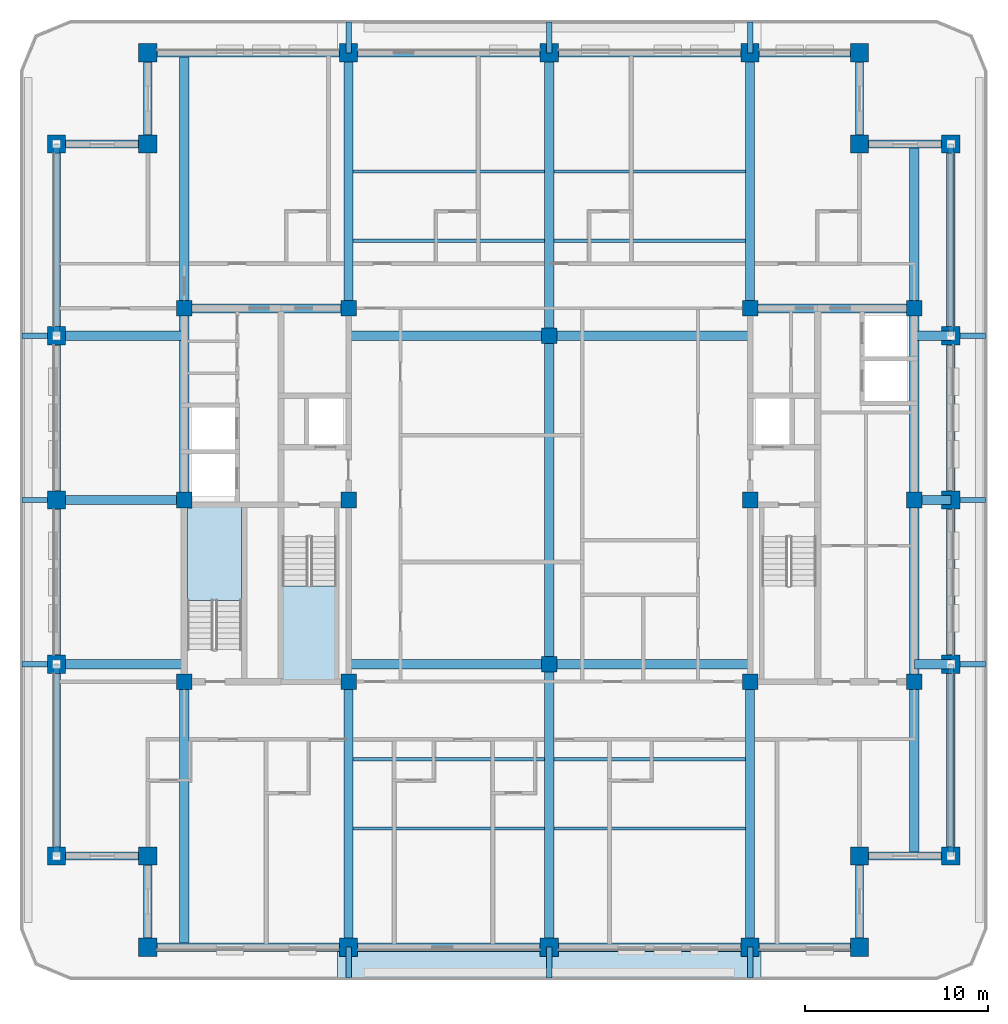
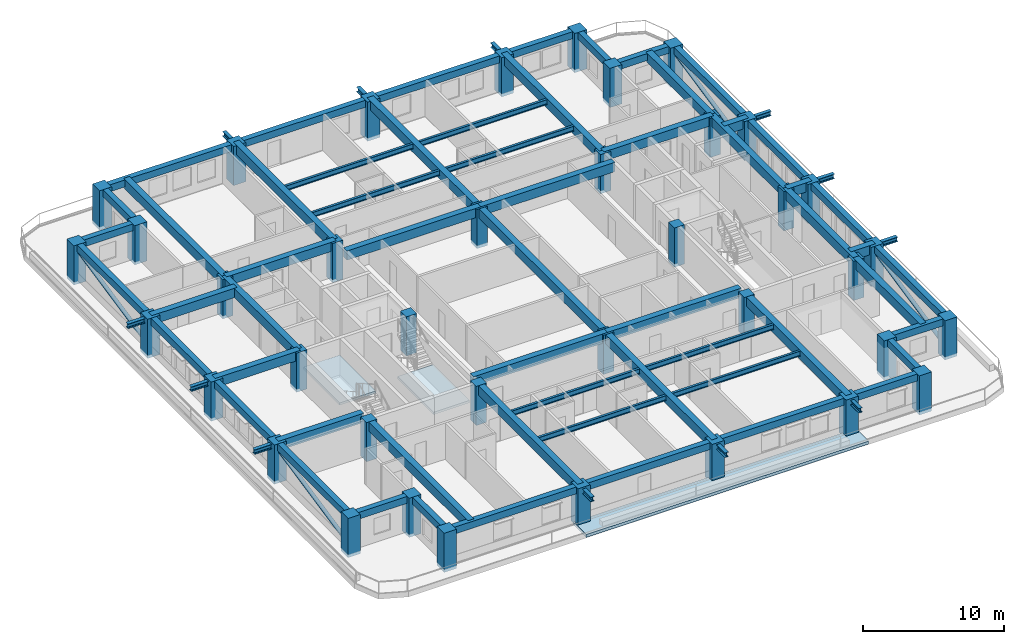
# One storey, part 1 of 15: 70 beams, 38 columns, 4 members, 3 slabs, 2 elements without a shape of their own.
"""IFC4 building model written with IfcOpenShell, lengths in metres."""

import ifcopenshell
import ifcopenshell.guid

model = None  # the IFC model being written
_history = None  # IfcOwnerHistory: only IFC2X3 demands one
_inside = {}  # id of a spatial element -> (the spatial element, [elements in it])
_under = {}  # id of a project, library or spatial element -> (it, [spatial elements below it])
_declared = {}  # id of a project -> (the project, [libraries it declares])
_typed = {}  # id of a type object -> (the type object, [elements of that type])
_made_of = {}  # id of a material, layer set ... -> (it, [elements and type objects made of it])


def new_model(schema):
    """Start an empty IFC model of exactly this schema.

    Asked for "IFC4X3", IfcOpenShell would pick the latest addendum, in which some entities
    have other attributes; the version numbers below select the first issue.
    IFC2X3 requires an IfcOwnerHistory on every rooted entity: one is made here for all.
    """
    global model, _history
    if schema == "IFC4X3":
        model = ifcopenshell.file(schema_version=(4, 3, 0, 0))
    else:
        model = ifcopenshell.file(schema=schema)
    _inside.clear()
    _under.clear()
    _declared.clear()
    _typed.clear()
    _made_of.clear()
    _history = None
    if model.schema == "IFC2X3":
        org = make("IfcOrganization", Name="unknown")
        user = make(
            "IfcPersonAndOrganization",
            ThePerson=make("IfcPerson", FamilyName="unknown"),
            TheOrganization=org,
        )
        app = make(
            "IfcApplication",
            ApplicationDeveloper=org,
            Version="unknown",
            ApplicationFullName="unknown",
            ApplicationIdentifier="unknown",
        )
        _history = make(
            "IfcOwnerHistory",
            OwningUser=user,
            OwningApplication=app,
            ChangeAction="ADDED",
            CreationDate=0,
        )
    return model


def make(cls, **values):
    """One entity of the class cls with the attributes given. An attribute that is None is left unset."""
    return model.create_entity(
        cls, **{name: value for name, value in values.items() if value is not None}
    )


def rooted(cls, **values):
    """An entity with a GlobalId (a new one), such as an element, a storey or a relation."""
    return make(cls, GlobalId=ifcopenshell.guid.new(), OwnerHistory=_history, **values)


def si_unit(unit_type, name, prefix=None):
    """IfcSIUnit, for example si_unit("LENGTHUNIT", "METRE", prefix="MILLI")."""
    return make("IfcSIUnit", UnitType=unit_type, Prefix=prefix, Name=name)


def assignment(units):
    """IfcUnitAssignment: the units of a project."""
    return None if units is None else make("IfcUnitAssignment", Units=units)


def point(xyz):
    """IfcCartesianPoint."""
    return None if xyz is None else make("IfcCartesianPoint", Coordinates=xyz)


def direction(xyz):
    """IfcDirection."""
    return None if xyz is None else make("IfcDirection", DirectionRatios=xyz)


def frame(location, z_axis=None, x_axis=None):
    """IfcAxis2Placement3D, a coordinate frame: its origin and axes. An axis left out is left unset."""
    return make(
        "IfcAxis2Placement3D",
        Location=point(location),
        Axis=direction(z_axis),
        RefDirection=direction(x_axis),
    )


def frame_2d(location, x_axis=None):
    """IfcAxis2Placement2D, a coordinate frame in the plane: its origin and x axis."""
    return make(
        "IfcAxis2Placement2D", Location=point(location), RefDirection=direction(x_axis)
    )


def origin():
    """The frame at (0, 0, 0) with its axes left unset."""
    return frame((0.0, 0.0, 0.0))


def origin_2d():
    """The frame at (0, 0) in the plane with its x axis left unset."""
    return frame_2d((0.0, 0.0))


def place(relative_to, where):
    """IfcLocalPlacement: puts the frame where relative to a parent placement (None: the world)."""
    return make(
        "IfcLocalPlacement", PlacementRelTo=relative_to, RelativePlacement=where
    )


def context(
    kind, dimensions, precision=None, world=None, true_north=None, identifier=None
):
    """IfcGeometricRepresentationContext, for example the 3D "Model" context."""
    return make(
        "IfcGeometricRepresentationContext",
        ContextIdentifier=identifier,
        ContextType=kind,
        CoordinateSpaceDimension=dimensions,
        Precision=precision,
        WorldCoordinateSystem=world,
        TrueNorth=true_north,
    )


def subcontext(parent, identifier, kind, view, scale=None):
    """IfcGeometricRepresentationSubContext, for example "Body" below "Model"."""
    return make(
        "IfcGeometricRepresentationSubContext",
        ContextIdentifier=identifier,
        ContextType=kind,
        ParentContext=parent,
        TargetScale=scale,
        TargetView=view,
    )


def project(units=None, contexts=None):
    """IfcProject with its units and contexts."""
    return rooted(
        "IfcProject",
        Name="project",
        RepresentationContexts=contexts,
        UnitsInContext=assignment(units),
    )


def spatial(cls, under=None, at=None, **own):
    """A site, building, storey or space (cls), placed at a placement, below another one or the project."""
    s = rooted(cls, ObjectPlacement=at, **own)
    if under is not None:
        _under.setdefault(under.id(), (under, []))[1].append(s)
    return s


def polyline(points):
    """IfcPolyline through the points."""
    return make("IfcPolyline", Points=[point(p) for p in points])


def profile(cls, at=None, kind="AREA", **sizes):
    """A parametric profile (cls). Its sizes go by their IFC names, for example OverallWidth=200.0."""
    return make(cls, ProfileType=kind, Position=at, **sizes)


def rectangle(**sizes):
    """IfcRectangleProfileDef."""
    return profile("IfcRectangleProfileDef", **sizes)


def hollow_circle(**sizes):
    """IfcCircleHollowProfileDef."""
    return profile("IfcCircleHollowProfileDef", **sizes)


def i_section(**sizes):
    """IfcIShapeProfileDef."""
    return profile("IfcIShapeProfileDef", **sizes)


def outline(outer, holes=None, kind="AREA"):
    """IfcArbitraryClosedProfileDef: a profile drawn as a closed curve; with holes, ...WithVoids."""
    if holes is None:
        return make("IfcArbitraryClosedProfileDef", ProfileType=kind, OuterCurve=outer)
    return make(
        "IfcArbitraryProfileDefWithVoids",
        ProfileType=kind,
        OuterCurve=outer,
        InnerCurves=holes,
    )


def extrude(swept, where, along, depth):
    """IfcExtrudedAreaSolid: the profile swept, set in the frame where, extruded along a direction by depth."""
    return make(
        "IfcExtrudedAreaSolid",
        SweptArea=swept,
        Position=where,
        ExtrudedDirection=direction(along),
        Depth=depth,
    )


def shape(context_of_items, identifier, shape_type, items):
    """IfcShapeRepresentation: the items that make up one representation, for example the "Body"."""
    return make(
        "IfcShapeRepresentation",
        ContextOfItems=context_of_items,
        RepresentationIdentifier=identifier,
        RepresentationType=shape_type,
        Items=items,
    )


def material(Name=None, Category=None):
    """IfcMaterial."""
    return make("IfcMaterial", Name=Name, Category=Category)


def layer(
    of_material, thickness, ventilated=None, Name=None, Category=None, Priority=None
):
    """IfcMaterialLayer: one layer of a wall or slab, of a material (None: an air gap)."""
    return make(
        "IfcMaterialLayer",
        Material=of_material,
        LayerThickness=thickness,
        IsVentilated=ventilated,
        Name=Name,
        Category=Category,
        Priority=Priority,
    )


def layer_set(layers, Name=None):
    """IfcMaterialLayerSet."""
    return make("IfcMaterialLayerSet", MaterialLayers=layers, LayerSetName=Name)


def material_profile(
    of_material, cross_section, Name=None, Category=None, Priority=None
):
    """IfcMaterialProfile: a cross section and its material."""
    return make(
        "IfcMaterialProfile",
        Name=Name,
        Material=of_material,
        Profile=cross_section,
        Priority=Priority,
        Category=Category,
    )


def profile_set(profiles, Name=None, composite=None):
    """IfcMaterialProfileSet."""
    return make(
        "IfcMaterialProfileSet",
        Name=Name,
        MaterialProfiles=profiles,
        CompositeProfile=composite,
    )


def made_of(thing, what):
    """Note that an element or type object is made of a material, layer set ...; save() writes the relation."""
    if what is not None:
        _made_of.setdefault(what.id(), (what, []))[1].append(thing)
    return thing


def type_object(cls, material=None, **own):
    """A type object (cls), such as IfcWallType, which elements share."""
    return made_of(rooted(cls, **own), material)


def element(
    cls,
    number,
    at=None,
    inside=None,
    cuts=None,
    type_object=None,
    material=None,
    context=None,
    identifier="Body",
    shape_type=None,
    held_by="IfcProductDefinitionShape",
    body=None,
    shapes=None,
    **own,
):
    """One element of the class cls, such as IfcWall. Its Tag is "e" and its number.

    at: its placement. inside: the storey or other place that contains it. cuts: it is an
    opening in that element (IfcRelVoidsElement). A single representation is given by context,
    identifier, shape_type and body (its items); several are given by shapes. held_by: the class
    of the entity that holds the representations. save() writes the other relations.
    """
    e = rooted(cls, Tag="e%d" % number, ObjectPlacement=at, **own)
    if body is not None:
        shapes = [shape(context, identifier, shape_type, body)]
    if shapes is not None:
        e.Representation = make(held_by, Representations=shapes)
    if inside is not None:
        _inside.setdefault(inside.id(), (inside, []))[1].append(e)
    if cuts is not None:
        rooted(
            "IfcRelVoidsElement", RelatingBuildingElement=cuts, RelatedOpeningElement=e
        )
    if type_object is not None:
        _typed.setdefault(type_object.id(), (type_object, []))[1].append(e)
    return made_of(e, material)


def aggregate(whole, parts):
    """IfcRelAggregates: a whole, such as a stair, and the parts it consists of."""
    return rooted("IfcRelAggregates", RelatingObject=whole, RelatedObjects=parts)


def save(model, path):
    """Write the relations noted so far, then the file.

    IfcRelAggregates (storeys below a building ...), IfcRelContainedInSpatialStructure (elements
    in a storey), IfcRelDefinesByType, IfcRelAssociatesMaterial and IfcRelDeclares: one each for
    every whole, place, type object, material and project.
    """
    for whole, parts in _under.values():
        aggregate(whole, parts)
    for where, things in _inside.values():
        rooted(
            "IfcRelContainedInSpatialStructure",
            RelatedElements=things,
            RelatingStructure=where,
        )
    for kind, things in _typed.values():
        rooted("IfcRelDefinesByType", RelatedObjects=things, RelatingType=kind)
    for what, things in _made_of.values():
        rooted("IfcRelAssociatesMaterial", RelatedObjects=things, RelatingMaterial=what)
    for by, libraries in _declared.values():
        rooted("IfcRelDeclares", RelatingContext=by, RelatedDefinitions=libraries)
    model.write(path)


model = new_model("IFC4")

# Units and contexts
model_context = context("Model", 3, precision=1e-05, world=origin(), true_north=direction((0.0, 1.0)))
body_context = subcontext(model_context, "Body", "Model", "MODEL_VIEW")
ifc_project = project(units=[si_unit("LENGTHUNIT", "METRE"), si_unit("AREAUNIT", "SQUARE_METRE"), si_unit("VOLUMEUNIT", "CUBIC_METRE"), si_unit("PLANEANGLEUNIT", "RADIAN"), si_unit("MASSUNIT", "GRAM", prefix="KILO")], contexts=[model_context])

# Site, building, storey
site_placement = place(None, origin())
site = spatial("IfcSite", under=ifc_project, at=site_placement, CompositionType="ELEMENT")
building_placement = place(site_placement, origin())
building = spatial("IfcBuilding", under=site, at=building_placement, Name="Zulmaris Gate Convention Tower", CompositionType="ELEMENT")
storey_placement = place(building_placement, frame((0.0, 0.0, 201.659912109375)))
storey = spatial("IfcBuildingStorey", under=building, at=storey_placement, Name="L52", CompositionType="ELEMENT", Elevation=201.659912109375)

# Columns
ifc_material_1 = material(Name="Concrete C60/75", Category="concrete")
ifc_material_profile_1 = material_profile(ifc_material_1, rectangle(XDim=1.0, YDim=1.0, at=origin_2d()), Name="RC COL 1000x1000")
ifc_profile_set_1 = profile_set([ifc_material_profile_1], Name="Concrete C60/75")
column_type_1 = type_object("IfcColumnType", Name="COL-RC1000", PredefinedType="COLUMN", material=ifc_profile_set_1)
for number, where, z_axis, x_axis, name in (
    (1, (-22.0, -24.5, -0.25), (0.0, 0.0, 1.0), (1.0, 0.0, 0.0), "L52 Column PT--22.00_-24.50"),
    (2, (-11.0, -24.5, -0.25), (0.0, 0.0, 1.0), (1.0, 0.0, 0.0), "L52 Column PT--11.00_-24.50"),
    (3, (0.0, -24.5, -0.25), (0.0, 0.0, 1.0), (1.0, 0.0, 0.0), "L52 Column PT-+0.00_-24.50"),
    (4, (11.0, -24.5, -0.25), (0.0, 0.0, 1.0), (1.0, 0.0, 0.0), "L52 Column PT-+11.00_-24.50"),
    (5, (17.0, -24.5, -0.25), (0.0, 0.0, 1.0), (1.0, 0.0, 0.0), "L52 Column PT-+17.00_-24.50"),
    (6, (-22.0, 24.5, -0.25), (0.0, 0.0, 1.0), (1.0, 0.0, 0.0), "L52 Column PT--22.00_+24.50"),
    (7, (-11.0, 24.5, -0.25), (0.0, 0.0, 1.0), (1.0, 0.0, 0.0), "L52 Column PT--11.00_+24.50"),
    (8, (0.0, 24.5, -0.25), (0.0, 0.0, 1.0), (1.0, 0.0, 0.0), "L52 Column PT-+0.00_+24.50"),
    (9, (11.0, 24.5, -0.25), (0.0, 0.0, 1.0), (1.0, 0.0, 0.0), "L52 Column PT-+11.00_+24.50"),
    (10, (17.0, 24.5, -0.25), (0.0, 0.0, 1.0), (1.0, 0.0, 0.0), "L52 Column PT-+17.00_+24.50"),
    (11, (-27.0, -19.5, -0.25), (0.0, 0.0, 1.0), (1.0, 0.0, 0.0), "L52 Column PT--27.00_-19.50"),
    (12, (-27.0, -9.0, -0.25), (0.0, 0.0, 1.0), (1.0, 0.0, 0.0), "L52 Column PT--27.00_-9.00"),
    (13, (-27.0, 0.0, -0.25), (0.0, 0.0, 1.0), (1.0, 0.0, 0.0), "L52 Column PT--27.00_+0.00"),
    (14, (-27.0, 9.0, -0.25), (0.0, 0.0, 1.0), (1.0, 0.0, 0.0), "L52 Column PT--27.00_+9.00"),
    (15, (-27.0, 19.5, -0.25), (0.0, 0.0, 1.0), (1.0, 0.0, 0.0), "L52 Column PT--27.00_+19.50"),
    (16, (22.0, -19.5, -0.25), (0.0, 0.0, 1.0), (1.0, 0.0, 0.0), "L52 Column PT-+22.00_-19.50"),
    (17, (22.0, -9.0, -0.25), (0.0, 0.0, 1.0), (1.0, 0.0, 0.0), "L52 Column PT-+22.00_-9.00"),
    (18, (22.0, 0.0, -0.25), (0.0, 0.0, 1.0), (1.0, 0.0, 0.0), "L52 Column PT-+22.00_+0.00"),
    (19, (22.0, 9.0, -0.25), (0.0, 0.0, 1.0), (1.0, 0.0, 0.0), "L52 Column PT-+22.00_+9.00"),
    (20, (22.0, 19.5, -0.25), (0.0, 0.0, 1.0), (1.0, 0.0, 0.0), "L52 Column PT-+22.00_+19.50"),
    (21, (-22.0, -19.5, -0.25), (0.0, 0.0, 1.0), (1.0, 0.0, 0.0), "L52 Column PT--22.00_-19.50"),
    (22, (17.0, -19.5, -0.25), (0.0, 0.0, 1.0), (1.0, 0.0, 0.0), "L52 Column PT-+17.00_-19.50"),
    (23, (17.0, 19.5, -0.25), (0.0, 0.0, 1.0), (1.0, 0.0, 0.0), "L52 Column PT-+17.00_+19.50"),
    (24, (-22.0, 19.5, -0.25), (0.0, 0.0, 1.0), (1.0, 0.0, 0.0), "L52 Column PT--22.00_+19.50"),
):
    element("IfcColumn", number, at=place(storey_placement, frame(where, z_axis=z_axis, x_axis=x_axis)), inside=storey, type_object=column_type_1, Name=name, PredefinedType="COLUMN", context=body_context, shape_type="SweptSolid", body=[
        extrude(rectangle(XDim=1.0, YDim=1.0, at=origin_2d()), origin(), (0.0, 0.0, 1.0), 3.400146484375),
    ])
ifc_material_profile_2 = material_profile(ifc_material_1, rectangle(XDim=0.85009765625, YDim=0.85009765625, at=origin_2d()), Name="RC COL 850x850")
ifc_profile_set_2 = profile_set([ifc_material_profile_2], Name="Concrete C60/75")
column_type_2 = type_object("IfcColumnType", Name="COL-RC850", PredefinedType="COLUMN", material=ifc_profile_set_2)
for number, where, z_axis, x_axis, name in (
    (25, (-20.0, -9.949951171875, -0.25), (0.0, 0.0, 1.0), (1.0, 0.0, 0.0), "L52 Column IN--20.00_-9.95"),
    (26, (-20.0, 10.5, -0.25), (0.0, 0.0, 1.0), (1.0, 0.0, 0.0), "L52 Column IN--20.00_+10.50"),
    (27, (-11.0, -9.949951171875, -0.25), (0.0, 0.0, 1.0), (1.0, 0.0, 0.0), "L52 Column IN--11.00_-9.95"),
    (28, (-11.0, 0.0, -0.25), (0.0, 0.0, 1.0), (1.0, 0.0, 0.0), "L52 Column IN--11.00_+0.00"),
    (29, (-11.0, 10.5, -0.25), (0.0, 0.0, 1.0), (1.0, 0.0, 0.0), "L52 Column IN--11.00_+10.50"),
    (30, (11.0, -9.949951171875, -0.25), (0.0, 0.0, 1.0), (1.0, 0.0, 0.0), "L52 Column IN-+11.00_-9.95"),
    (31, (11.0, 0.0, -0.25), (0.0, 0.0, 1.0), (1.0, 0.0, 0.0), "L52 Column IN-+11.00_+0.00"),
    (32, (11.0, 10.5, -0.25), (0.0, 0.0, 1.0), (1.0, 0.0, 0.0), "L52 Column IN-+11.00_+10.50"),
    (33, (20.0, -9.949951171875, -0.25), (0.0, 0.0, 1.0), (1.0, 0.0, 0.0), "L52 Column IN-+20.00_-9.95"),
    (34, (20.0, 10.5, -0.25), (0.0, 0.0, 1.0), (1.0, 0.0, 0.0), "L52 Column IN-+20.00_+10.50"),
    (35, (0.0, -9.0, -0.25), (0.0, 0.0, 1.0), (1.0, 0.0, 0.0), "L52 Column IN-+0.00_-9.00"),
    (36, (0.0, 9.0, -0.25), (0.0, 0.0, 1.0), (1.0, 0.0, 0.0), "L52 Column IN-+0.00_+9.00"),
    (37, (-20.0, 0.0, -0.25), (0.0, 0.0, 1.0), (1.0, 0.0, 0.0), "L52 Column IN--20.00_+0.00"),
    (38, (20.0, 0.0, -0.25), (0.0, 0.0, 1.0), (1.0, 0.0, 0.0), "L52 Column IN-+20.00_+0.00"),
):
    element("IfcColumn", number, at=place(storey_placement, frame(where, z_axis=z_axis, x_axis=x_axis)), inside=storey, type_object=column_type_2, Name=name, PredefinedType="COLUMN", context=body_context, shape_type="SweptSolid", body=[
        extrude(rectangle(XDim=0.85009765625, YDim=0.85009765625, at=origin_2d()), origin(), (0.0, 0.0, 1.0), 3.400146484375),
    ])

# Beams
ifc_material_2 = material(Name="Steel S355", Category="steel")
ifc_material_profile_3 = material_profile(ifc_material_2, i_section(OverallWidth=0.300048828125, OverallDepth=0.39990234375, WebThickness=0.013427734375, FlangeThickness=0.02392578125, FilletRadius=0.027099609375, at=origin_2d()), Name="HEB 400")
ifc_profile_set_3 = profile_set([ifc_material_profile_3], Name="Steel S355")
beam_type_1 = type_object("IfcBeamType", Name="BM-HEB400", PredefinedType="BEAM", material=ifc_profile_set_3)
for number, where, z_axis, x_axis, name in (
    (39, (-11.0, -26.199951171875, 2.810302734375), (0.0, 1.0, 0.0), (-1.0, 0.0, 0.0), "L52 Beam TBRK-L52-S--11"),
    (40, (-11.0, 24.5, 2.810302734375), (0.0, 1.0, 0.0), (-1.0, 0.0, 0.0), "L52 Beam TBRK-L52-N--11"),
    (41, (0.0, -26.199951171875, 2.810302734375), (0.0, 1.0, 0.0), (-1.0, 0.0, 0.0), "L52 Beam TBRK-L52-S-+0"),
    (42, (0.0, 24.5, 2.810302734375), (0.0, 1.0, 0.0), (-1.0, 0.0, 0.0), "L52 Beam TBRK-L52-N-+0"),
    (43, (11.0, -26.199951171875, 2.810302734375), (0.0, 1.0, 0.0), (-1.0, 0.0, 0.0), "L52 Beam TBRK-L52-S-+11"),
    (44, (11.0, 24.5, 2.810302734375), (0.0, 1.0, 0.0), (-1.0, 0.0, 0.0), "L52 Beam TBRK-L52-N-+11"),
):
    element("IfcBeam", number, at=place(storey_placement, frame(where, z_axis=z_axis, x_axis=x_axis)), inside=storey, type_object=beam_type_1, Name=name, PredefinedType="BEAM", context=body_context, shape_type="SweptSolid", body=[
        extrude(i_section(OverallWidth=0.300048828125, OverallDepth=0.39990234375, WebThickness=0.013427734375, FlangeThickness=0.02392578125, FilletRadius=0.027099609375, at=origin_2d()), origin(), (0.0, 0.0, 1.0), 1.699951171875),
    ])
for number, where, z_axis, x_axis, name in (
    (45, (-28.89990234375, -9.0, 2.810302734375), (1.0, 0.0, 0.0), (0.0, 1.0, 0.0), "L52 Beam TBRK-L52-W--9"),
    (46, (22.0, -9.0, 2.810302734375), (1.0, 0.0, 0.0), (0.0, 1.0, 0.0), "L52 Beam TBRK-L52-E--9"),
    (47, (-28.89990234375, 0.0, 2.810302734375), (1.0, 0.0, 0.0), (0.0, 1.0, 0.0), "L52 Beam TBRK-L52-W-+0"),
    (48, (22.0, 0.0, 2.810302734375), (1.0, 0.0, 0.0), (0.0, 1.0, 0.0), "L52 Beam TBRK-L52-E-+0"),
    (49, (-28.89990234375, 9.0, 2.810302734375), (1.0, 0.0, 0.0), (0.0, 1.0, 0.0), "L52 Beam TBRK-L52-W-+9"),
    (50, (22.0, 9.0, 2.810302734375), (1.0, 0.0, 0.0), (0.0, 1.0, 0.0), "L52 Beam TBRK-L52-E-+9"),
):
    element("IfcBeam", number, at=place(storey_placement, frame(where, z_axis=z_axis, x_axis=x_axis)), inside=storey, type_object=beam_type_1, Name=name, PredefinedType="BEAM", context=body_context, shape_type="SweptSolid", body=[
        extrude(i_section(OverallWidth=0.300048828125, OverallDepth=0.39990234375, WebThickness=0.013427734375, FlangeThickness=0.02392578125, FilletRadius=0.027099609375, at=origin_2d()), origin(), (0.0, 0.0, 1.0), 1.89990234375),
    ])
ifc_material_3 = material(Name="Concrete C50/60", Category="concrete")
ifc_material_profile_4 = material_profile(ifc_material_3, rectangle(XDim=0.5, YDim=0.800048828125, at=origin_2d()), Name="RC BEAM 500x800")
ifc_profile_set_4 = profile_set([ifc_material_profile_4], Name="Concrete C50/60")
beam_type_2 = type_object("IfcBeamType", Name="BM-RC500x800", PredefinedType="BEAM", material=ifc_profile_set_4)
for number, where, z_axis, x_axis, name in (
    (51, (-11.0, -9.0, 2.750244140625), (1.0, 0.0, 0.0), (0.0, 1.0, 0.0), "L52 Beam BM-L52-G01"),
    (52, (0.0, -9.0, 2.750244140625), (1.0, 0.0, 0.0), (0.0, 1.0, 0.0), "L52 Beam BM-L52-G02"),
    (53, (-11.0, 9.0, 2.750244140625), (1.0, 0.0, 0.0), (0.0, 1.0, 0.0), "L52 Beam BM-L52-G03"),
    (54, (0.0, 9.0, 2.750244140625), (1.0, 0.0, 0.0), (0.0, 1.0, 0.0), "L52 Beam BM-L52-G04"),
):
    element("IfcBeam", number, at=place(storey_placement, frame(where, z_axis=z_axis, x_axis=x_axis)), inside=storey, type_object=beam_type_2, Name=name, PredefinedType="BEAM", context=body_context, shape_type="SweptSolid", body=[
        extrude(rectangle(XDim=0.5, YDim=0.800048828125, at=origin_2d()), origin(), (0.0, 0.0, 1.0), 11.0),
    ])
beam_1_placement = place(storey_placement, frame((0.0, -24.5, 2.750244140625), z_axis=(0.0, 1.0, 0.0), x_axis=(-1.0, 0.0, 0.0)))
element("IfcBeam", 55, at=beam_1_placement, inside=storey, type_object=beam_type_2, Name="L52 Beam BM-L52-G05", PredefinedType="BEAM", context=body_context, shape_type="SweptSolid", body=[
    extrude(rectangle(XDim=0.5, YDim=0.800048828125, at=origin_2d()), origin(), (0.0, 0.0, 1.0), 15.5),
])
beam_2_placement = place(storey_placement, frame((0.0, -9.0, 2.750244140625), z_axis=(0.0, 1.0, 0.0), x_axis=(-1.0, 0.0, 0.0)))
element("IfcBeam", 56, at=beam_2_placement, inside=storey, type_object=beam_type_2, Name="L52 Beam BM-L52-G06", PredefinedType="BEAM", context=body_context, shape_type="SweptSolid", body=[
    extrude(rectangle(XDim=0.5, YDim=0.800048828125, at=origin_2d()), origin(), (0.0, 0.0, 1.0), 18.0),
])
beam_3_placement = place(storey_placement, frame((0.0, 9.0, 2.750244140625), z_axis=(0.0, 1.0, 0.0), x_axis=(-1.0, 0.0, 0.0)))
element("IfcBeam", 57, at=beam_3_placement, inside=storey, type_object=beam_type_2, Name="L52 Beam BM-L52-G07", PredefinedType="BEAM", context=body_context, shape_type="SweptSolid", body=[
    extrude(rectangle(XDim=0.5, YDim=0.800048828125, at=origin_2d()), origin(), (0.0, 0.0, 1.0), 15.5),
])
beam_4_placement = place(storey_placement, frame((-11.0, -24.5, 2.750244140625), z_axis=(0.0, 1.0, 0.0), x_axis=(-1.0, 0.0, 0.0)))
element("IfcBeam", 58, at=beam_4_placement, inside=storey, type_object=beam_type_2, Name="L52 Beam BM-L52-G08", PredefinedType="BEAM", context=body_context, shape_type="SweptSolid", body=[
    extrude(rectangle(XDim=0.5, YDim=0.800048828125, at=origin_2d()), origin(), (0.0, 0.0, 1.0), 14.550048828125),
])
beam_5_placement = place(storey_placement, frame((-11.0, 10.5, 2.750244140625), z_axis=(0.0, 1.0, 0.0), x_axis=(-1.0, 0.0, 0.0)))
element("IfcBeam", 59, at=beam_5_placement, inside=storey, type_object=beam_type_2, Name="L52 Beam BM-L52-G09", PredefinedType="BEAM", context=body_context, shape_type="SweptSolid", body=[
    extrude(rectangle(XDim=0.5, YDim=0.800048828125, at=origin_2d()), origin(), (0.0, 0.0, 1.0), 14.0),
])
beam_6_placement = place(storey_placement, frame((11.0, -24.5, 2.750244140625), z_axis=(0.0, 1.0, 0.0), x_axis=(-1.0, 0.0, 0.0)))
element("IfcBeam", 60, at=beam_6_placement, inside=storey, type_object=beam_type_2, Name="L52 Beam BM-L52-G10", PredefinedType="BEAM", context=body_context, shape_type="SweptSolid", body=[
    extrude(rectangle(XDim=0.5, YDim=0.800048828125, at=origin_2d()), origin(), (0.0, 0.0, 1.0), 14.550048828125),
])
beam_7_placement = place(storey_placement, frame((11.0, 10.5, 2.750244140625), z_axis=(0.0, 1.0, 0.0), x_axis=(-1.0, 0.0, 0.0)))
element("IfcBeam", 61, at=beam_7_placement, inside=storey, type_object=beam_type_2, Name="L52 Beam BM-L52-G11", PredefinedType="BEAM", context=body_context, shape_type="SweptSolid", body=[
    extrude(rectangle(XDim=0.5, YDim=0.800048828125, at=origin_2d()), origin(), (0.0, 0.0, 1.0), 14.0),
])
beam_8_placement = place(storey_placement, frame((-20.0, -24.5, 2.750244140625), z_axis=(0.0, 1.0, 0.0), x_axis=(-1.0, 0.0, 0.0)))
element("IfcBeam", 62, at=beam_8_placement, inside=storey, type_object=beam_type_2, Name="L52 Beam BM-L52-G12", PredefinedType="BEAM", context=body_context, shape_type="SweptSolid", body=[
    extrude(rectangle(XDim=0.5, YDim=0.800048828125, at=origin_2d()), origin(), (0.0, 0.0, 1.0), 14.550048828125),
])
beam_9_placement = place(storey_placement, frame((-20.0, 10.5, 2.750244140625), z_axis=(0.0, 1.0, 0.0), x_axis=(-1.0, 0.0, 0.0)))
element("IfcBeam", 63, at=beam_9_placement, inside=storey, type_object=beam_type_2, Name="L52 Beam BM-L52-G13", PredefinedType="BEAM", context=body_context, shape_type="SweptSolid", body=[
    extrude(rectangle(XDim=0.5, YDim=0.800048828125, at=origin_2d()), origin(), (0.0, 0.0, 1.0), 14.0),
])
beam_10_placement = place(storey_placement, frame((20.0, -19.5, 2.750244140625), z_axis=(0.0, 1.0, 0.0), x_axis=(-1.0, 0.0, 0.0)))
element("IfcBeam", 64, at=beam_10_placement, inside=storey, type_object=beam_type_2, Name="L52 Beam BM-L52-G14", PredefinedType="BEAM", context=body_context, shape_type="SweptSolid", body=[
    extrude(rectangle(XDim=0.5, YDim=0.800048828125, at=origin_2d()), origin(), (0.0, 0.0, 1.0), 9.550048828125),
])
beam_11_placement = place(storey_placement, frame((20.0, 10.5, 2.750244140625), z_axis=(0.0, 1.0, 0.0), x_axis=(-1.0, 0.0, 0.0)))
element("IfcBeam", 65, at=beam_11_placement, inside=storey, type_object=beam_type_2, Name="L52 Beam BM-L52-G15", PredefinedType="BEAM", context=body_context, shape_type="SweptSolid", body=[
    extrude(rectangle(XDim=0.5, YDim=0.800048828125, at=origin_2d()), origin(), (0.0, 0.0, 1.0), 9.0),
])
for number, where, z_axis, x_axis, name in (
    (66, (-27.0, -9.0, 2.750244140625), (1.0, 0.0, 0.0), (0.0, 1.0, 0.0), "L52 Beam BM-L52-G16"),
    (67, (-27.0, 0.0, 2.750244140625), (1.0, 0.0, 0.0), (0.0, 1.0, 0.0), "L52 Beam BM-L52-G17"),
    (68, (-27.0, 9.0, 2.750244140625), (1.0, 0.0, 0.0), (0.0, 1.0, 0.0), "L52 Beam BM-L52-G18"),
):
    element("IfcBeam", number, at=place(storey_placement, frame(where, z_axis=z_axis, x_axis=x_axis)), inside=storey, type_object=beam_type_2, Name=name, PredefinedType="BEAM", context=body_context, shape_type="SweptSolid", body=[
        extrude(rectangle(XDim=0.5, YDim=0.800048828125, at=origin_2d()), origin(), (0.0, 0.0, 1.0), 7.0),
    ])
for number, where, z_axis, x_axis, name in (
    (69, (20.0, -9.0, 2.750244140625), (1.0, 0.0, 0.0), (0.0, 1.0, 0.0), "L52 Beam BM-L52-G19"),
    (70, (20.0, 0.0, 2.750244140625), (1.0, 0.0, 0.0), (0.0, 1.0, 0.0), "L52 Beam BM-L52-G20"),
    (71, (20.0, 9.0, 2.750244140625), (1.0, 0.0, 0.0), (0.0, 1.0, 0.0), "L52 Beam BM-L52-G21"),
):
    element("IfcBeam", number, at=place(storey_placement, frame(where, z_axis=z_axis, x_axis=x_axis)), inside=storey, type_object=beam_type_2, Name=name, PredefinedType="BEAM", context=body_context, shape_type="SweptSolid", body=[
        extrude(rectangle(XDim=0.5, YDim=0.800048828125, at=origin_2d()), origin(), (0.0, 0.0, 1.0), 2.0),
    ])
for number, where, z_axis, x_axis, name in (
    (72, (-20.0, 10.5, 2.750244140625), (1.0, 0.0, 0.0), (0.0, 1.0, 0.0), "L52 Beam BM-L52-G23"),
    (73, (11.0, 10.5, 2.750244140625), (1.0, 0.0, 0.0), (0.0, 1.0, 0.0), "L52 Beam BM-L52-G25"),
):
    element("IfcBeam", number, at=place(storey_placement, frame(where, z_axis=z_axis, x_axis=x_axis)), inside=storey, type_object=beam_type_2, Name=name, PredefinedType="BEAM", context=body_context, shape_type="SweptSolid", body=[
        extrude(rectangle(XDim=0.5, YDim=0.800048828125, at=origin_2d()), origin(), (0.0, 0.0, 1.0), 9.0),
    ])
beam_12_placement = place(storey_placement, frame((-20.0, 0.0, 2.750244140625), z_axis=(0.0, 1.0, 0.0), x_axis=(-1.0, 0.0, 0.0)))
element("IfcBeam", 74, at=beam_12_placement, inside=storey, type_object=beam_type_2, Name="L52 Beam BM-L52-G27", PredefinedType="BEAM", context=body_context, shape_type="SweptSolid", body=[
    extrude(rectangle(XDim=0.5, YDim=0.800048828125, at=origin_2d()), origin(), (0.0, 0.0, 1.0), 10.5),
])
beam_13_placement = place(storey_placement, frame((20.0, -9.949951171875, 2.750244140625), z_axis=(0.0, 1.0, 0.0), x_axis=(-1.0, 0.0, 0.0)))
element("IfcBeam", 75, at=beam_13_placement, inside=storey, type_object=beam_type_2, Name="L52 Beam BM-L52-G28", PredefinedType="BEAM", context=body_context, shape_type="SweptSolid", body=[
    extrude(rectangle(XDim=0.5, YDim=0.800048828125, at=origin_2d()), origin(), (0.0, 0.0, 1.0), 9.949951171875),
])
beam_14_placement = place(storey_placement, frame((20.0, 0.0, 2.750244140625), z_axis=(0.0, 1.0, 0.0), x_axis=(-1.0, 0.0, 0.0)))
element("IfcBeam", 76, at=beam_14_placement, inside=storey, type_object=beam_type_2, Name="L52 Beam BM-L52-G29", PredefinedType="BEAM", context=body_context, shape_type="SweptSolid", body=[
    extrude(rectangle(XDim=0.5, YDim=0.800048828125, at=origin_2d()), origin(), (0.0, 0.0, 1.0), 10.5),
])
ifc_material_4 = material(Name="Precast concrete C50/60", Category="concrete")
ifc_material_profile_5 = material_profile(ifc_material_4, rectangle(XDim=0.449951171875, YDim=0.60009765625, at=origin_2d()), Name="RC SPANDREL 450x600")
ifc_profile_set_5 = profile_set([ifc_material_profile_5], Name="Precast concrete C50/60")
beam_type_3 = type_object("IfcBeamType", Name="BM-SP450x600", PredefinedType="SPANDREL", material=ifc_profile_set_5)
for number, where, z_axis, x_axis, name in (
    (77, (-22.0, -24.5, 2.85009765625), (1.0, 0.0, 0.0), (0.0, 1.0, 0.0), "L52 Spandrel SP-L52-01"),
    (78, (-11.0, -24.5, 2.85009765625), (1.0, 0.0, 0.0), (0.0, 1.0, 0.0), "L52 Spandrel SP-L52-02"),
    (79, (0.0, -24.5, 2.85009765625), (1.0, 0.0, 0.0), (0.0, 1.0, 0.0), "L52 Spandrel SP-L52-03"),
):
    element("IfcBeam", number, at=place(storey_placement, frame(where, z_axis=z_axis, x_axis=x_axis)), inside=storey, type_object=beam_type_3, Name=name, PredefinedType="SPANDREL", context=body_context, shape_type="SweptSolid", body=[
        extrude(rectangle(XDim=0.449951171875, YDim=0.60009765625, at=origin_2d()), origin(), (0.0, 0.0, 1.0), 11.0),
    ])
beam_15_placement = place(storey_placement, frame((11.0, -24.5, 2.85009765625), z_axis=(1.0, 0.0, 0.0), x_axis=(0.0, 1.0, 0.0)))
element("IfcBeam", 80, at=beam_15_placement, inside=storey, type_object=beam_type_3, Name="L52 Spandrel SP-L52-04", PredefinedType="SPANDREL", context=body_context, shape_type="SweptSolid", body=[
    extrude(rectangle(XDim=0.449951171875, YDim=0.60009765625, at=origin_2d()), origin(), (0.0, 0.0, 1.0), 6.0),
])
for number, where, z_axis, x_axis, name in (
    (81, (17.0, -24.5, 2.85009765625), (0.0, 1.0, 0.0), (-1.0, 0.0, 0.0), "L52 Spandrel SP-L52-05"),
    (82, (17.0, -19.5, 2.85009765625), (1.0, 0.0, 0.0), (0.0, 1.0, 0.0), "L52 Spandrel SP-L52-06"),
):
    element("IfcBeam", number, at=place(storey_placement, frame(where, z_axis=z_axis, x_axis=x_axis)), inside=storey, type_object=beam_type_3, Name=name, PredefinedType="SPANDREL", context=body_context, shape_type="SweptSolid", body=[
        extrude(rectangle(XDim=0.449951171875, YDim=0.60009765625, at=origin_2d()), origin(), (0.0, 0.0, 1.0), 5.0),
    ])
beam_16_placement = place(storey_placement, frame((22.0, -19.5, 2.85009765625), z_axis=(0.0, 1.0, 0.0), x_axis=(-1.0, 0.0, 0.0)))
element("IfcBeam", 83, at=beam_16_placement, inside=storey, type_object=beam_type_3, Name="L52 Spandrel SP-L52-07", PredefinedType="SPANDREL", context=body_context, shape_type="SweptSolid", body=[
    extrude(rectangle(XDim=0.449951171875, YDim=0.60009765625, at=origin_2d()), origin(), (0.0, 0.0, 1.0), 10.5),
])
for number, where, z_axis, x_axis, name in (
    (84, (22.0, -9.0, 2.85009765625), (0.0, 1.0, 0.0), (-1.0, 0.0, 0.0), "L52 Spandrel SP-L52-08"),
    (85, (22.0, 0.0, 2.85009765625), (0.0, 1.0, 0.0), (-1.0, 0.0, 0.0), "L52 Spandrel SP-L52-09"),
):
    element("IfcBeam", number, at=place(storey_placement, frame(where, z_axis=z_axis, x_axis=x_axis)), inside=storey, type_object=beam_type_3, Name=name, PredefinedType="SPANDREL", context=body_context, shape_type="SweptSolid", body=[
        extrude(rectangle(XDim=0.449951171875, YDim=0.60009765625, at=origin_2d()), origin(), (0.0, 0.0, 1.0), 9.0),
    ])
beam_17_placement = place(storey_placement, frame((22.0, 9.0, 2.85009765625), z_axis=(0.0, 1.0, 0.0), x_axis=(-1.0, 0.0, 0.0)))
element("IfcBeam", 86, at=beam_17_placement, inside=storey, type_object=beam_type_3, Name="L52 Spandrel SP-L52-10", PredefinedType="SPANDREL", context=body_context, shape_type="SweptSolid", body=[
    extrude(rectangle(XDim=0.449951171875, YDim=0.60009765625, at=origin_2d()), origin(), (0.0, 0.0, 1.0), 10.5),
])
for number, where, z_axis, x_axis, name in (
    (87, (22.0, 19.5, 2.85009765625), (-1.0, 0.0, 0.0), (0.0, -1.0, 0.0), "L52 Spandrel SP-L52-11"),
    (88, (17.0, 19.5, 2.85009765625), (0.0, 1.0, 0.0), (-1.0, 0.0, 0.0), "L52 Spandrel SP-L52-12"),
):
    element("IfcBeam", number, at=place(storey_placement, frame(where, z_axis=z_axis, x_axis=x_axis)), inside=storey, type_object=beam_type_3, Name=name, PredefinedType="SPANDREL", context=body_context, shape_type="SweptSolid", body=[
        extrude(rectangle(XDim=0.449951171875, YDim=0.60009765625, at=origin_2d()), origin(), (0.0, 0.0, 1.0), 5.0),
    ])
beam_18_placement = place(storey_placement, frame((17.0, 24.5, 2.85009765625), z_axis=(-1.0, 0.0, 0.0), x_axis=(0.0, -1.0, 0.0)))
element("IfcBeam", 89, at=beam_18_placement, inside=storey, type_object=beam_type_3, Name="L52 Spandrel SP-L52-13", PredefinedType="SPANDREL", context=body_context, shape_type="SweptSolid", body=[
    extrude(rectangle(XDim=0.449951171875, YDim=0.60009765625, at=origin_2d()), origin(), (0.0, 0.0, 1.0), 6.0),
])
for number, where, z_axis, x_axis, name in (
    (90, (11.0, 24.5, 2.85009765625), (-1.0, 0.0, 0.0), (0.0, -1.0, 0.0), "L52 Spandrel SP-L52-14"),
    (91, (0.0, 24.5, 2.85009765625), (-1.0, 0.0, 0.0), (0.0, -1.0, 0.0), "L52 Spandrel SP-L52-15"),
    (92, (-11.0, 24.5, 2.85009765625), (-1.0, 0.0, 0.0), (0.0, -1.0, 0.0), "L52 Spandrel SP-L52-16"),
):
    element("IfcBeam", number, at=place(storey_placement, frame(where, z_axis=z_axis, x_axis=x_axis)), inside=storey, type_object=beam_type_3, Name=name, PredefinedType="SPANDREL", context=body_context, shape_type="SweptSolid", body=[
        extrude(rectangle(XDim=0.449951171875, YDim=0.60009765625, at=origin_2d()), origin(), (0.0, 0.0, 1.0), 11.0),
    ])
for number, where, z_axis, x_axis, name in (
    (93, (-22.0, 24.5, 2.85009765625), (0.0, -1.0, 0.0), (1.0, 0.0, 0.0), "L52 Spandrel SP-L52-17"),
    (94, (-22.0, 19.5, 2.85009765625), (-1.0, 0.0, 0.0), (0.0, -1.0, 0.0), "L52 Spandrel SP-L52-18"),
):
    element("IfcBeam", number, at=place(storey_placement, frame(where, z_axis=z_axis, x_axis=x_axis)), inside=storey, type_object=beam_type_3, Name=name, PredefinedType="SPANDREL", context=body_context, shape_type="SweptSolid", body=[
        extrude(rectangle(XDim=0.449951171875, YDim=0.60009765625, at=origin_2d()), origin(), (0.0, 0.0, 1.0), 5.0),
    ])
beam_19_placement = place(storey_placement, frame((-27.0, 19.5, 2.85009765625), z_axis=(0.0, -1.0, 0.0), x_axis=(1.0, 0.0, 0.0)))
element("IfcBeam", 95, at=beam_19_placement, inside=storey, type_object=beam_type_3, Name="L52 Spandrel SP-L52-19", PredefinedType="SPANDREL", context=body_context, shape_type="SweptSolid", body=[
    extrude(rectangle(XDim=0.449951171875, YDim=0.60009765625, at=origin_2d()), origin(), (0.0, 0.0, 1.0), 10.5),
])
for number, where, z_axis, x_axis, name in (
    (96, (-27.0, 9.0, 2.85009765625), (0.0, -1.0, 0.0), (1.0, 0.0, 0.0), "L52 Spandrel SP-L52-20"),
    (97, (-27.0, 0.0, 2.85009765625), (0.0, -1.0, 0.0), (1.0, 0.0, 0.0), "L52 Spandrel SP-L52-21"),
):
    element("IfcBeam", number, at=place(storey_placement, frame(where, z_axis=z_axis, x_axis=x_axis)), inside=storey, type_object=beam_type_3, Name=name, PredefinedType="SPANDREL", context=body_context, shape_type="SweptSolid", body=[
        extrude(rectangle(XDim=0.449951171875, YDim=0.60009765625, at=origin_2d()), origin(), (0.0, 0.0, 1.0), 9.0),
    ])
beam_20_placement = place(storey_placement, frame((-27.0, -9.0, 2.85009765625), z_axis=(0.0, -1.0, 0.0), x_axis=(1.0, 0.0, 0.0)))
element("IfcBeam", 98, at=beam_20_placement, inside=storey, type_object=beam_type_3, Name="L52 Spandrel SP-L52-22", PredefinedType="SPANDREL", context=body_context, shape_type="SweptSolid", body=[
    extrude(rectangle(XDim=0.449951171875, YDim=0.60009765625, at=origin_2d()), origin(), (0.0, 0.0, 1.0), 10.5),
])
for number, where, z_axis, x_axis, name in (
    (99, (-27.0, -19.5, 2.85009765625), (1.0, 0.0, 0.0), (0.0, 1.0, 0.0), "L52 Spandrel SP-L52-23"),
    (100, (-22.0, -19.5, 2.85009765625), (0.0, -1.0, 0.0), (1.0, 0.0, 0.0), "L52 Spandrel SP-L52-24"),
):
    element("IfcBeam", number, at=place(storey_placement, frame(where, z_axis=z_axis, x_axis=x_axis)), inside=storey, type_object=beam_type_3, Name=name, PredefinedType="SPANDREL", context=body_context, shape_type="SweptSolid", body=[
        extrude(rectangle(XDim=0.449951171875, YDim=0.60009765625, at=origin_2d()), origin(), (0.0, 0.0, 1.0), 5.0),
    ])

# Members
ifc_material_profile_6 = material_profile(ifc_material_2, hollow_circle(Radius=0.161865234375, WallThickness=0.01611328125, at=origin_2d()), Name="CHS 323.9x16")
ifc_profile_set_6 = profile_set([ifc_material_profile_6], Name="Steel S355")
member_type = type_object("IfcMemberType", Name="BR-CHS324", PredefinedType="BRACE", material=ifc_profile_set_6)
for number, where, z_axis, x_axis, name in (
    (101, (-27.0, -19.5, 0.300048828125), (0.0, 0.978178268729, 0.207767356883), (-1.0, 0.0, 0.0), "L52 Perimeter Tube Diagonal SW-W"),
    (102, (-27.0, 9.0, 0.300048828125), (0.0, 0.978178268729, 0.207767356883), (-1.0, 0.0, 0.0), "L52 Perimeter Tube Diagonal NW-W"),
    (103, (22.0, -19.5, 0.300048828125), (0.0, 0.978178268729, 0.207767356883), (-1.0, 0.0, 0.0), "L52 Perimeter Tube Diagonal SE-E"),
    (104, (22.0, 9.0, 0.300048828125), (0.0, 0.978178268729, 0.207767356883), (-1.0, 0.0, 0.0), "L52 Perimeter Tube Diagonal NE-E"),
):
    element("IfcMember", number, at=place(storey_placement, frame(where, z_axis=z_axis, x_axis=x_axis)), inside=storey, type_object=member_type, Name=name, PredefinedType="BRACE", context=body_context, shape_type="SweptSolid", body=[
        extrude(hollow_circle(Radius=0.161865234375, WallThickness=0.01611328125, at=origin_2d()), origin(), (0.0, 0.0, 1.0), 10.734130859375),
    ])

# Beams
ifc_material_profile_7 = material_profile(ifc_material_2, i_section(OverallWidth=0.18994140625, OverallDepth=0.449951171875, WebThickness=0.009521484375, FlangeThickness=0.0146484375, FilletRadius=0.02099609375, at=origin_2d()), Name="IPE 450")
ifc_profile_set_7 = profile_set([ifc_material_profile_7], Name="Steel S355")
beam_type_4 = type_object("IfcBeamType", Name="JT-IPE450", PredefinedType="JOIST", material=ifc_profile_set_7)
for number, where, z_axis, x_axis, name in (
    (105, (-10.75, -18.0, 2.923095703125), (1.0, 0.0, 0.0), (0.0, 1.0, 0.0), "L52 Joist JT-L52-CW--18.0"),
    (106, (0.25, -18.0, 2.923095703125), (1.0, 0.0, 0.0), (0.0, 1.0, 0.0), "L52 Joist JT-L52-CE--18.0"),
    (107, (-10.75, -14.199951171875, 2.923095703125), (1.0, 0.0, 0.0), (0.0, 1.0, 0.0), "L52 Joist JT-L52-CW--14.2"),
    (108, (0.25, -14.199951171875, 2.923095703125), (1.0, 0.0, 0.0), (0.0, 1.0, 0.0), "L52 Joist JT-L52-CE--14.2"),
    (109, (-10.75, 14.199951171875, 2.923095703125), (1.0, 0.0, 0.0), (0.0, 1.0, 0.0), "L52 Joist JT-L52-CW-+14.2"),
    (110, (0.25, 14.199951171875, 2.923095703125), (1.0, 0.0, 0.0), (0.0, 1.0, 0.0), "L52 Joist JT-L52-CE-+14.2"),
    (111, (-10.75, 18.0, 2.923095703125), (1.0, 0.0, 0.0), (0.0, 1.0, 0.0), "L52 Joist JT-L52-CW-+18.0"),
    (112, (0.25, 18.0, 2.923095703125), (1.0, 0.0, 0.0), (0.0, 1.0, 0.0), "L52 Joist JT-L52-CE-+18.0"),
):
    element("IfcBeam", number, at=place(storey_placement, frame(where, z_axis=z_axis, x_axis=x_axis)), inside=storey, type_object=beam_type_4, Name=name, PredefinedType="JOIST", context=body_context, shape_type="SweptSolid", body=[
        extrude(i_section(OverallWidth=0.18994140625, OverallDepth=0.449951171875, WebThickness=0.009521484375, FlangeThickness=0.0146484375, FilletRadius=0.02099609375, at=origin_2d()), origin(), (0.0, 0.0, 1.0), 10.5),
    ])

# Slab
ifc_layer_1 = layer(ifc_material_4, 0.260009765625, Name="Precast concrete C50/60")
ifc_layer_set_1 = layer_set([ifc_layer_1], Name="Precast concrete C50/60")
slab_type_1 = type_object("IfcSlabType", Name="SL-BAL-260", PredefinedType="FLOOR", material=ifc_layer_set_1)
slab_1_placement = place(storey_placement, frame((0.0, 0.0, -0.25)))
element("IfcSlab", 113, at=slab_1_placement, inside=storey, type_object=slab_type_1, Name="L52 South Tree-Balcony Planter Slab", PredefinedType="FLOOR", context=body_context, shape_type="SweptSolid", body=[
    extrude(outline(polyline([(-11.597900390625, -26.300048828125), (-11.597900390625, -24.5), (11.597900390625, -24.5), (11.597900390625, -26.300048828125), (-11.597900390625, -26.300048828125)])), origin(), (0.0, 0.0, 1.0), 0.260009765625),
])

# Stair, slab
ifc_material_5 = material(Name="Concrete C45/55", Category="concrete")
stair_type = type_object("IfcStairType", Name="ST-CORE-DOGLEG", PredefinedType="HALF_TURN_STAIR", material=ifc_material_5)
stair_1_placement = place(storey_placement, origin())
stair_1 = element("IfcStair", 114, at=stair_1_placement, inside=storey, type_object=stair_type, Name="L52 Core Exit Stair ST-1", PredefinedType="HALF_TURN_STAIR")
ifc_layer_2 = layer(ifc_material_5, 0.199951171875, Name="Concrete C45/55")
ifc_layer_set_2 = layer_set([ifc_layer_2], Name="Concrete C45/55")
slab_type_2 = type_object("IfcSlabType", Name="SL-LND-200", PredefinedType="LANDING", material=ifc_layer_set_2)
slab_2_placement = place(storey_placement, frame((0.0, 0.0, 1.5)))
slab_2 = element("IfcSlab", 115, at=slab_2_placement, type_object=slab_type_2, Name="ST-1 landing 1", PredefinedType="LANDING", context=body_context, shape_type="SweptSolid", body=[
    extrude(outline(polyline([(-14.6201171875, -4.699951171875), (-14.6201171875, -9.85009765625), (-11.659912109375, -9.85009765625), (-11.659912109375, -4.699951171875), (-14.6201171875, -4.699951171875)])), origin(), (0.0, 0.0, 1.0), 0.2001953125),
])
aggregate(stair_1, [slab_2])

stair_2_placement = place(storey_placement, origin())
stair_2 = element("IfcStair", 116, at=stair_2_placement, inside=storey, type_object=stair_type, Name="L52 Core Exit Stair ST-3", PredefinedType="HALF_TURN_STAIR")
slab_3_placement = place(storey_placement, frame((0.0, 0.0, 1.5)))
slab_3 = element("IfcSlab", 117, at=slab_3_placement, type_object=slab_type_2, Name="ST-3 landing 1", PredefinedType="LANDING", context=body_context, shape_type="SweptSolid", body=[
    extrude(outline(polyline([(-16.860107421875, -5.5), (-16.860107421875, -0.35009765625), (-19.820068359375, -0.35009765625), (-19.820068359375, -5.5), (-16.860107421875, -5.5)])), origin(), (0.0, 0.0, 1.0), 0.2001953125),
])
aggregate(stair_2, [slab_3])

save(model, "model.ifc")
